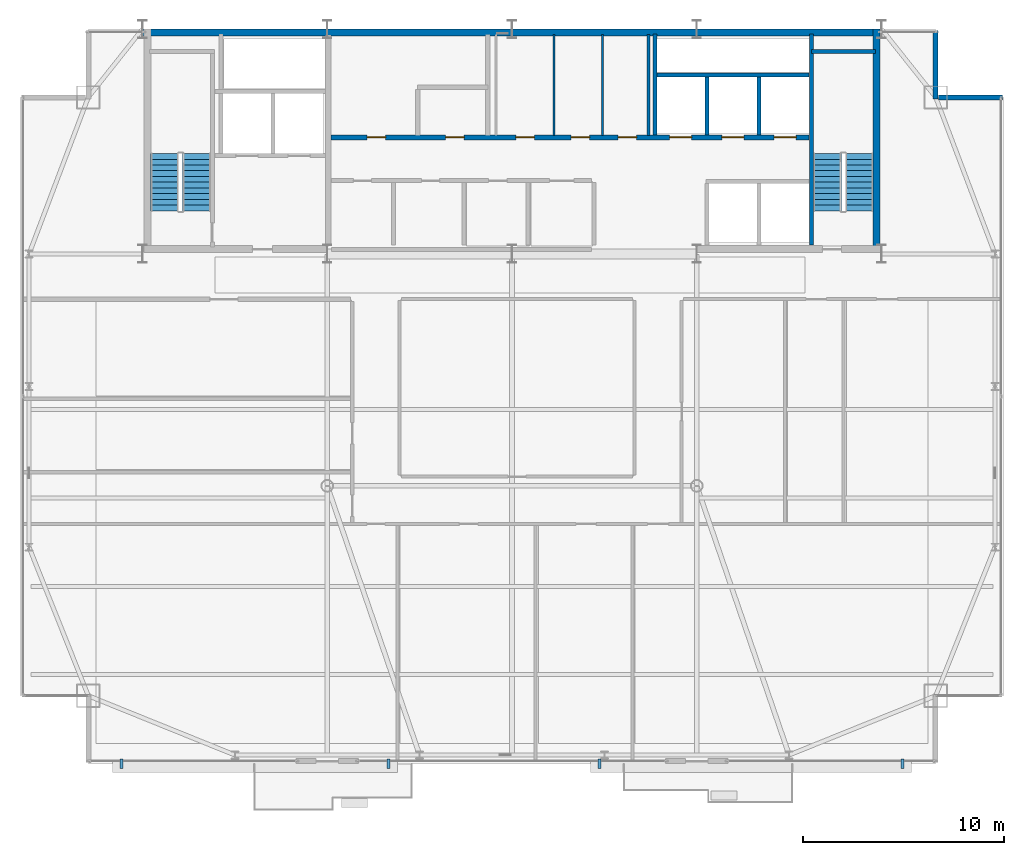
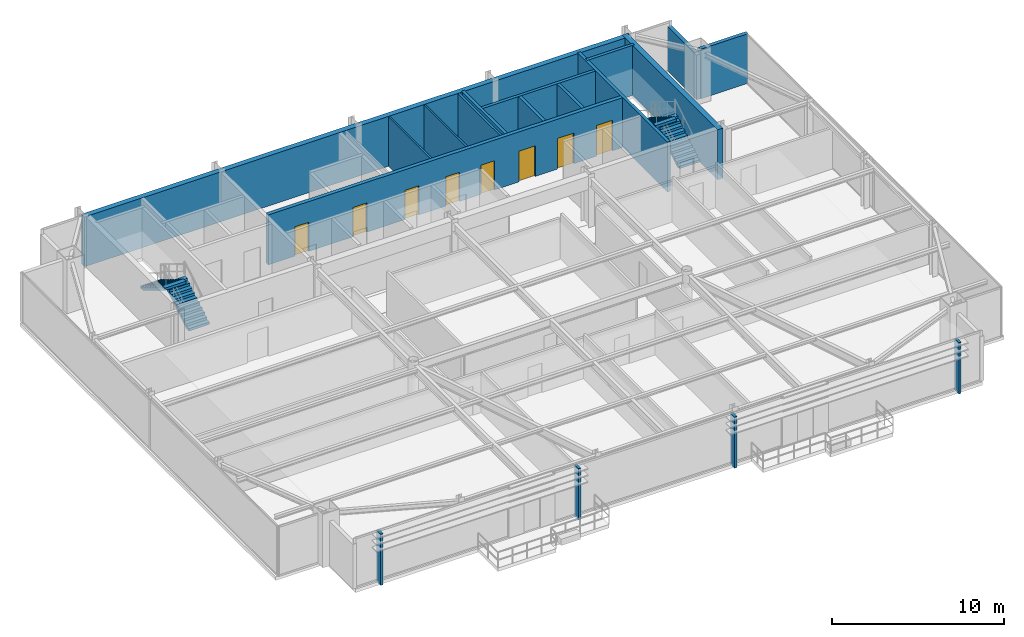
# One storey, part 28 of 30: 14 walls, 8 doors, 4 discrete accessories, 4 stair flights, 8 openings, 2 elements without a shape of their own.
"""IFC4 building model written with IfcOpenShell, lengths in metres."""

from ifc_helpers import new_model, si_unit, direction, frame, frame_2d, origin, origin_2d, place, context, subcontext, project, spatial, polyline, rectangle, outline, extrude, source, transform, mapped, material, layer, layer_set, type_object, type_shapes, element, fill, aggregate, save


model = new_model("IFC4")

# Units and contexts
model_context = context("Model", 3, precision=1e-05, world=origin(), true_north=direction((0.0, 1.0)))
body_context = subcontext(model_context, "Body", "Model", "MODEL_VIEW")
ifc_project = project(units=[si_unit("LENGTHUNIT", "METRE"), si_unit("AREAUNIT", "SQUARE_METRE"), si_unit("VOLUMEUNIT", "CUBIC_METRE"), si_unit("PLANEANGLEUNIT", "RADIAN"), si_unit("MASSUNIT", "GRAM", prefix="KILO")], contexts=[model_context])

# Site, building, storey
site_placement = place(None, origin())
site = spatial("IfcSite", under=ifc_project, at=site_placement, CompositionType="ELEMENT")
building_placement = place(site_placement, origin())
building = spatial("IfcBuilding", under=site, at=building_placement, Name="Varnel Quay Broadcast Tower", CompositionType="ELEMENT")
storey_placement = place(building_placement, frame((0.0, 0.0, 247.0)))
storey = spatial("IfcBuildingStorey", under=building, at=storey_placement, Name="L61", CompositionType="ELEMENT", Elevation=247.0)

# Walls
ifc_material_1 = material(Name="Concrete CSA A23.3 C50/60", Category="concrete")
ifc_layer_1 = layer(ifc_material_1, 0.199951171875, Name="Concrete CSA A23.3 C50/60")
ifc_layer_set_1 = layer_set([ifc_layer_1], Name="Concrete CSA A23.3 C50/60")
wall_type_1 = type_object("IfcWallType", Name="Wall_CoreShaftShear200", PredefinedType="SHEAR", material=ifc_layer_set_1)
wall_1_placement = place(storey_placement, frame((48.919921875, 36.050048828125, 0.0), z_axis=(0.0, 0.0, 1.0), x_axis=(0.0, 1.0, 0.0)))
element("IfcWall", 1, at=wall_1_placement, inside=storey, type_object=wall_type_1, Name="L61 Stair 2 West Structural Wall", PredefinedType="SHEAR", context=body_context, shape_type="SweptSolid", body=[
    extrude(rectangle(XDim=10.5, YDim=0.199951171875, at=frame_2d((5.25, 0.0))), origin(), (0.0, 0.0, 1.0), 3.550048828125),
])
wall_2_placement = place(storey_placement, frame((48.919921875, 45.679931640625, 0.0), z_axis=(0.0, 0.0, 1.0), x_axis=(1.0, 0.0, 0.0)))
element("IfcWall", 2, at=wall_2_placement, inside=storey, type_object=wall_type_1, Name="L61 Stair 2 North Structural Wall", PredefinedType="SHEAR", context=body_context, shape_type="SweptSolid", body=[
    extrude(rectangle(XDim=3.18017578125, YDim=0.199951171875, at=frame_2d((1.590087890625, 0.0))), origin(), (0.0, 0.0, 1.0), 3.550048828125),
])
wall_3_placement = place(storey_placement, frame((41.219970703125, 44.5, 0.0), z_axis=(0.0, 0.0, 1.0), x_axis=(1.0, 0.0, 0.0)))
element("IfcWall", 3, at=wall_3_placement, inside=storey, type_object=wall_type_1, Name="L61 High-Rise Lift Shaft Rear Wall", PredefinedType="SHEAR", context=body_context, shape_type="SweptSolid", body=[
    extrude(rectangle(XDim=7.580078125, YDim=0.199951171875, at=frame_2d((3.7900390625, 0.0))), origin(), (0.0, 0.0, 1.0), 3.550048828125),
])
wall_4_placement = place(storey_placement, frame((41.1201171875, 41.530029296875, 0.0), z_axis=(0.0, 0.0, 1.0), x_axis=(0.0, 1.0, 0.0)))
element("IfcWall", 4, at=wall_4_placement, inside=storey, type_object=wall_type_1, Name="L61 High-Rise Lift Shaft Divider 1", PredefinedType="SHEAR", context=body_context, shape_type="SweptSolid", body=[
    extrude(rectangle(XDim=5.02001953125, YDim=0.199951171875, at=frame_2d((2.510009765625, 0.0))), origin(), (0.0, 0.0, 1.0), 3.550048828125),
])
for number, where, z_axis, x_axis, name in (
    (5, (43.699951171875, 41.530029296875, 0.0), (0.0, 0.0, 1.0), (0.0, 1.0, 0.0), "L61 High-Rise Lift Shaft Divider 2"),
    (6, (46.300048828125, 41.530029296875, 0.0), (0.0, 0.0, 1.0), (0.0, 1.0, 0.0), "L61 High-Rise Lift Shaft Divider 3"),
):
    element("IfcWall", number, at=place(storey_placement, frame(where, z_axis=z_axis, x_axis=x_axis)), inside=storey, type_object=wall_type_1, Name=name, PredefinedType="SHEAR", context=body_context, shape_type="SweptSolid", body=[
        extrude(rectangle(XDim=2.869873046875, YDim=0.199951171875, at=frame_2d((1.43505859375, 0.0))), origin(), (0.0, 0.0, 1.0), 3.550048828125),
    ])

# Wall, openings, doors
ifc_layer_2 = layer(ifc_material_1, 0.25, Name="Concrete CSA A23.3 C50/60")
ifc_layer_set_2 = layer_set([ifc_layer_2], Name="Concrete CSA A23.3 C50/60")
wall_type_2 = type_object("IfcWallType", Name="Wall_CoreShaftShear250", PredefinedType="SHEAR", material=ifc_layer_set_2)
wall_5_placement = place(storey_placement, frame((24.97998046875, 41.39990234375, 0.0), z_axis=(0.0, 0.0, 1.0), x_axis=(1.0, 0.0, 0.0)))
wall_5 = element("IfcWall", 7, at=wall_5_placement, inside=storey, type_object=wall_type_2, Name="L61 North Lift Bank & Reclaimed Suite Wall", PredefinedType="SHEAR", context=body_context, shape_type="SweptSolid", body=[
    extrude(rectangle(XDim=23.820068359375, YDim=0.25, at=frame_2d((11.91015625, 0.0))), origin(), (0.0, 0.0, 1.0), 3.550048828125),
])
opening_1_placement = place(wall_5_placement, frame((16.8701171875, 0.0, 0.0)))
opening_1 = element("IfcOpeningElement", 8, at=opening_1_placement, cuts=wall_5, Name="Opening LD-L61-PH-01", PredefinedType="OPENING", context=body_context, shape_type="SweptSolid", body=[
    extrude(rectangle(XDim=1.10009765625, YDim=2.179931640625, at=frame_2d((0.550048828125, 1.08984375))), frame((0.0, 0.135009765625, 0.0), z_axis=(0.0, -1.0, 0.0), x_axis=(1.0, 0.0, 0.0)), (0.0, 0.0, 1.0), 0.27001953125),
])
opening_2_placement = place(wall_5_placement, frame((19.469970703125, 0.0, 0.0)))
opening_2 = element("IfcOpeningElement", 9, at=opening_2_placement, cuts=wall_5, Name="Opening LD-L61-PH-02", PredefinedType="OPENING", context=body_context, shape_type="SweptSolid", body=[
    extrude(rectangle(XDim=1.10009765625, YDim=2.179931640625, at=frame_2d((0.550048828125, 1.08984375))), frame((0.0, 0.135009765625, 0.0), z_axis=(0.0, -1.0, 0.0), x_axis=(1.0, 0.0, 0.0)), (0.0, 0.0, 1.0), 0.27001953125),
])
opening_3_placement = place(wall_5_placement, frame((22.070068359375, 0.0, 0.0)))
opening_3 = element("IfcOpeningElement", 10, at=opening_3_placement, cuts=wall_5, Name="Opening LD-L61-PH-03", PredefinedType="OPENING", context=body_context, shape_type="SweptSolid", body=[
    extrude(rectangle(XDim=1.10009765625, YDim=2.179931640625, at=frame_2d((0.550048828125, 1.08984375))), frame((0.0, 0.135009765625, 0.0), z_axis=(0.0, -1.0, 0.0), x_axis=(1.0, 0.0, 0.0)), (0.0, 0.0, 1.0), 0.27001953125),
])
opening_4_placement = place(wall_5_placement, frame((1.81005859375, 0.0, 0.0)))
opening_4 = element("IfcOpeningElement", 11, at=opening_4_placement, cuts=wall_5, Name="Opening D-L61-RECA1", PredefinedType="OPENING", context=body_context, shape_type="SweptSolid", body=[
    extrude(rectangle(XDim=0.919921875, YDim=2.080078125, at=frame_2d((0.4599609375, 1.0400390625))), frame((0.0, 0.135009765625, 0.0), z_axis=(0.0, -1.0, 0.0), x_axis=(1.0, 0.0, 0.0)), (0.0, 0.0, 1.0), 0.27001953125),
])
opening_5_placement = place(wall_5_placement, frame((5.7099609375, 0.0, 0.0)))
opening_5 = element("IfcOpeningElement", 12, at=opening_5_placement, cuts=wall_5, Name="Opening D-L61-RECA2", PredefinedType="OPENING", context=body_context, shape_type="SweptSolid", body=[
    extrude(rectangle(XDim=0.919921875, YDim=2.080078125, at=frame_2d((0.4599609375, 1.0400390625))), frame((0.0, 0.135009765625, 0.0), z_axis=(0.0, -1.0, 0.0), x_axis=(1.0, 0.0, 0.0)), (0.0, 0.0, 1.0), 0.27001953125),
])
opening_6_placement = place(wall_5_placement, frame((9.2099609375, 0.0, 0.0)))
opening_6 = element("IfcOpeningElement", 13, at=opening_6_placement, cuts=wall_5, Name="Opening D-L61-RECB1", PredefinedType="OPENING", context=body_context, shape_type="SweptSolid", body=[
    extrude(rectangle(XDim=0.919921875, YDim=2.080078125, at=frame_2d((0.4599609375, 1.0400390625))), frame((0.0, 0.135009765625, 0.0), z_axis=(0.0, -1.0, 0.0), x_axis=(1.0, 0.0, 0.0)), (0.0, 0.0, 1.0), 0.27001953125),
])
opening_7_placement = place(wall_5_placement, frame((11.9599609375, 0.0, 0.0)))
opening_7 = element("IfcOpeningElement", 14, at=opening_7_placement, cuts=wall_5, Name="Opening D-L61-RECB2", PredefinedType="OPENING", context=body_context, shape_type="SweptSolid", body=[
    extrude(rectangle(XDim=0.919921875, YDim=2.080078125, at=frame_2d((0.4599609375, 1.0400390625))), frame((0.0, 0.135009765625, 0.0), z_axis=(0.0, -1.0, 0.0), x_axis=(1.0, 0.0, 0.0)), (0.0, 0.0, 1.0), 0.27001953125),
])
opening_8_placement = place(wall_5_placement, frame((14.31005859375, 0.0, 0.0)))
opening_8 = element("IfcOpeningElement", 15, at=opening_8_placement, cuts=wall_5, Name="Opening D-L61-RECB3", PredefinedType="OPENING", context=body_context, shape_type="SweptSolid", body=[
    extrude(rectangle(XDim=0.919921875, YDim=2.080078125, at=frame_2d((0.4599609375, 1.0400390625))), frame((0.0, 0.135009765625, 0.0), z_axis=(0.0, -1.0, 0.0), x_axis=(1.0, 0.0, 0.0)), (0.0, 0.0, 1.0), 0.27001953125),
])
ifc_material_2 = material(Name="Brushed Bronze-Stainless Lift Car & Sliding Doors", Category="steel")
door_type_1 = type_object("IfcDoorType", Name="Door_LiftLanding1100", OperationType="SLIDING_TO_LEFT", PredefinedType="DOOR", material=ifc_material_2)
shared_shape_1 = source(origin(), body_context, "Body", "SweptSolid", [
    extrude(rectangle(XDim=1.10009765625, YDim=2.179931640625, at=frame_2d((0.550048828125, 1.08984375))), frame((0.0, 0.02490234375, 0.0), z_axis=(0.0, -1.0, 0.0), x_axis=(1.0, 0.0, 0.0)), (0.0, 0.0, 1.0), 0.050048828125),
])
type_shapes(door_type_1, [shared_shape_1])
door_1_placement = place(opening_1_placement, frame((1.10009765625, 0.0, 0.0), z_axis=(0.0, 0.0, 1.0), x_axis=(-1.0, 0.0, 0.0)))
door_1 = element("IfcDoor", 16, at=door_1_placement, inside=storey, type_object=door_type_1, Name="L61 Lift PH-01 Landing Door", OperationType="SLIDING_TO_LEFT", OverallHeight=2.179931640625, OverallWidth=1.10009765625, PredefinedType="DOOR", context=body_context, shape_type="MappedRepresentation", body=[
    mapped(shared_shape_1, transform((0.0, 0.0, 0.0), x_axis=(1.0, 0.0, 0.0), y_axis=(0.0, 1.0, 0.0), z_axis=(0.0, 0.0, 1.0), scale=1.0)),
])
fill(opening_1, door_1)
door_2_placement = place(opening_2_placement, frame((1.10009765625, 0.0, 0.0), z_axis=(0.0, 0.0, 1.0), x_axis=(-1.0, 0.0, 0.0)))
door_2 = element("IfcDoor", 17, at=door_2_placement, inside=storey, type_object=door_type_1, Name="L61 Lift PH-02 Landing Door", OperationType="SLIDING_TO_LEFT", OverallHeight=2.179931640625, OverallWidth=1.10009765625, PredefinedType="DOOR", context=body_context, shape_type="MappedRepresentation", body=[
    mapped(shared_shape_1, transform((0.0, 0.0, 0.0), x_axis=(1.0, 0.0, 0.0), y_axis=(0.0, 1.0, 0.0), z_axis=(0.0, 0.0, 1.0), scale=1.0)),
])
fill(opening_2, door_2)
door_3_placement = place(opening_3_placement, frame((1.10009765625, 0.0, 0.0), z_axis=(0.0, 0.0, 1.0), x_axis=(-1.0, 0.0, 0.0)))
door_3 = element("IfcDoor", 18, at=door_3_placement, inside=storey, type_object=door_type_1, Name="L61 Lift PH-03 Landing Door", OperationType="SLIDING_TO_LEFT", OverallHeight=2.179931640625, OverallWidth=1.10009765625, PredefinedType="DOOR", context=body_context, shape_type="MappedRepresentation", body=[
    mapped(shared_shape_1, transform((0.0, 0.0, 0.0), x_axis=(1.0, 0.0, 0.0), y_axis=(0.0, 1.0, 0.0), z_axis=(0.0, 0.0, 1.0), scale=1.0)),
])
fill(opening_3, door_3)
ifc_material_3 = material(Name="Solid-Core Fire-Rated Acoustic Oak Veneer Door", Category="wood")
door_type_2 = type_object("IfcDoorType", Name="Door_Office920", OperationType="NOTDEFINED", PredefinedType="DOOR", material=ifc_material_3)
shared_shape_2 = source(origin(), body_context, "Body", "SweptSolid", [
    extrude(rectangle(XDim=0.919921875, YDim=2.080078125, at=frame_2d((0.4599609375, 1.0400390625))), frame((0.0, 0.02490234375, 0.0), z_axis=(0.0, -1.0, 0.0), x_axis=(1.0, 0.0, 0.0)), (0.0, 0.0, 1.0), 0.050048828125),
])
type_shapes(door_type_2, [shared_shape_2])
door_4_placement = place(opening_4_placement, origin())
door_4 = element("IfcDoor", 19, at=door_4_placement, inside=storey, type_object=door_type_2, Name="L61 Signal Routing Suite Door", OperationType="SINGLE_SWING_LEFT", OverallHeight=2.080078125, OverallWidth=0.919921875, PredefinedType="DOOR", context=body_context, shape_type="MappedRepresentation", body=[
    mapped(shared_shape_2, transform((0.0, 0.0, 0.0), x_axis=(1.0, 0.0, 0.0), y_axis=(0.0, 1.0, 0.0), z_axis=(0.0, 0.0, 1.0), scale=1.0)),
])
fill(opening_4, door_4)
door_5_placement = place(opening_5_placement, origin())
door_5 = element("IfcDoor", 20, at=door_5_placement, inside=storey, type_object=door_type_2, Name="L61 Archive Media Store Door", OperationType="SINGLE_SWING_RIGHT", OverallHeight=2.080078125, OverallWidth=0.919921875, PredefinedType="DOOR", context=body_context, shape_type="MappedRepresentation", body=[
    mapped(shared_shape_2, transform((0.0, 0.0, 0.0), x_axis=(1.0, 0.0, 0.0), y_axis=(0.0, 1.0, 0.0), z_axis=(0.0, 0.0, 1.0), scale=1.0)),
])
fill(opening_5, door_5)
door_6_placement = place(opening_6_placement, origin())
door_6 = element("IfcDoor", 21, at=door_6_placement, inside=storey, type_object=door_type_2, Name="L61 Audio Patch Closet Door", OperationType="SINGLE_SWING_LEFT", OverallHeight=2.080078125, OverallWidth=0.919921875, PredefinedType="DOOR", context=body_context, shape_type="MappedRepresentation", body=[
    mapped(shared_shape_2, transform((0.0, 0.0, 0.0), x_axis=(1.0, 0.0, 0.0), y_axis=(0.0, 1.0, 0.0), z_axis=(0.0, 0.0, 1.0), scale=1.0)),
])
fill(opening_6, door_6)
door_7_placement = place(opening_7_placement, origin())
door_7 = element("IfcDoor", 22, at=door_7_placement, inside=storey, type_object=door_type_2, Name="L61 Bureau Reference Archive Door", OperationType="SINGLE_SWING_RIGHT", OverallHeight=2.080078125, OverallWidth=0.919921875, PredefinedType="DOOR", context=body_context, shape_type="MappedRepresentation", body=[
    mapped(shared_shape_2, transform((0.0, 0.0, 0.0), x_axis=(1.0, 0.0, 0.0), y_axis=(0.0, 1.0, 0.0), z_axis=(0.0, 0.0, 1.0), scale=1.0)),
])
fill(opening_7, door_7)
door_8_placement = place(opening_8_placement, origin())
door_8 = element("IfcDoor", 23, at=door_8_placement, inside=storey, type_object=door_type_2, Name="L61 Crew Espresso Niche Door", OperationType="SINGLE_SWING_LEFT", OverallHeight=2.080078125, OverallWidth=0.919921875, PredefinedType="DOOR", context=body_context, shape_type="MappedRepresentation", body=[
    mapped(shared_shape_2, transform((0.0, 0.0, 0.0), x_axis=(1.0, 0.0, 0.0), y_axis=(0.0, 1.0, 0.0), z_axis=(0.0, 0.0, 1.0), scale=1.0)),
])
fill(opening_8, door_8)

# Walls
ifc_layer_3 = layer(ifc_material_1, 0.35009765625, Name="Concrete CSA A23.3 C50/60")
ifc_layer_set_3 = layer_set([ifc_layer_3], Name="Concrete CSA A23.3 C50/60")
wall_type_3 = type_object("IfcWallType", Name="Wall_CoreShearExt350", PredefinedType="SHEAR", material=ifc_layer_set_3)
wall_6_placement = place(storey_placement, frame((15.60009765625, 46.625, 0.0), z_axis=(0.0, 0.0, 1.0), x_axis=(1.0, 0.0, 0.0)))
element("IfcWall", 24, at=wall_6_placement, inside=storey, type_object=wall_type_3, Name="L61 North Core Shear Wall", PredefinedType="SHEAR", context=body_context, shape_type="SweptSolid", body=[
    extrude(rectangle(XDim=36.7998046875, YDim=0.35009765625, at=frame_2d((18.39990234375, 0.0))), origin(), (0.0, 0.0, 1.0), 3.550048828125),
])
ifc_layer_4 = layer(ifc_material_1, 0.35009765625, Name="Concrete CSA A23.3 C50/60")
ifc_layer_set_4 = layer_set([ifc_layer_4], Name="Concrete CSA A23.3 C50/60")
wall_type_4 = type_object("IfcWallType", Name="Wall_CoreShearInt350", PredefinedType="SHEAR", material=ifc_layer_set_4)
wall_7_placement = place(storey_placement, frame((52.155029296875, 35.669921875, 0.0), z_axis=(0.0, 0.0, 1.0), x_axis=(0.0, 1.0, 0.0)))
element("IfcWall", 25, at=wall_7_placement, inside=storey, type_object=wall_type_4, Name="L61 East Core Shear Wall", PredefinedType="SHEAR", context=body_context, shape_type="SweptSolid", body=[
    extrude(rectangle(XDim=11.130126953125, YDim=0.35009765625, at=frame_2d((5.56494140625, 0.0))), origin(), (0.0, 0.0, 1.0), 3.550048828125),
])
ifc_material_4 = material(Name="Precast Architectural Concrete C40/50", Category="concrete")
ifc_layer_5 = layer(ifc_material_4, 0.25, Name="Precast Architectural Concrete C40/50")
ifc_layer_set_5 = layer_set([ifc_layer_5], Name="Precast Architectural Concrete C40/50")
wall_type_5 = type_object("IfcWallType", Name="Wall_ExtTerrace250", PredefinedType="SOLIDWALL", material=ifc_layer_set_5)
wall_8_placement = place(storey_placement, frame((55.22998046875, 43.39990234375, 0.0), z_axis=(0.0, 0.0, 1.0), x_axis=(1.0, 0.0, 0.0)))
element("IfcWall", 26, at=wall_8_placement, inside=storey, type_object=wall_type_5, Name="L61 Mega-Column Notch Cladding Wall NNE1", PredefinedType="SOLIDWALL", context=body_context, shape_type="SweptSolid", body=[
    extrude(rectangle(XDim=3.18994140625, YDim=0.25, at=frame_2d((1.594970703125, 0.0))), origin(), (0.0, 0.0, 1.0), 3.530029296875),
])
wall_9_placement = place(storey_placement, frame((55.10009765625, 43.320068359375, 0.0), z_axis=(0.0, 0.0, 1.0), x_axis=(0.0, 1.0, 0.0)))
element("IfcWall", 27, at=wall_9_placement, inside=storey, type_object=wall_type_5, Name="L61 Mega-Column Notch Cladding Wall NNE2", PredefinedType="SOLIDWALL", context=body_context, shape_type="SweptSolid", body=[
    extrude(rectangle(XDim=3.39990234375, YDim=0.25, at=frame_2d((1.699951171875, 0.0))), origin(), (0.0, 0.0, 1.0), 3.1708984375),
])
ifc_material_5 = material(Name="Steel-Stud Fire-Rated Acoustic Gypsum Partition Assembly", Category="steel")
ifc_layer_6 = layer(ifc_material_5, 0.10498046875, Name="Steel-Stud Fire-Rated Acoustic Gypsum Partition Assembly")
ifc_layer_set_6 = layer_set([ifc_layer_6], Name="Steel-Stud Fire-Rated Acoustic Gypsum Partition Assembly")
wall_type_6 = type_object("IfcWallType", Name="Wall_Partition105", PredefinedType="PARTITIONING", material=ifc_layer_set_6)
for number, where, z_axis, x_axis, name in (
    (28, (36.10009765625, 41.5, 0.0), (0.0, 0.0, 1.0), (0.0, 1.0, 0.0), "L61 Audio Patch Closet Partition 26"),
    (29, (38.5, 41.5, 0.0), (0.0, 0.0, 1.0), (0.0, 1.0, 0.0), "L61 Bureau Reference Archive Partition 28"),
):
    element("IfcWall", number, at=place(storey_placement, frame(where, z_axis=z_axis, x_axis=x_axis)), inside=storey, type_object=wall_type_6, Name=name, PredefinedType="PARTITIONING", context=body_context, shape_type="SweptSolid", body=[
        extrude(rectangle(XDim=5.02001953125, YDim=0.10498046875, at=frame_2d((2.510009765625, 0.0))), origin(), (0.0, 0.0, 1.0), 3.530029296875),
    ])
ifc_layer_7 = layer(ifc_material_5, 0.14990234375, Name="Steel-Stud Fire-Rated Acoustic Gypsum Partition Assembly")
ifc_layer_set_7 = layer_set([ifc_layer_7], Name="Steel-Stud Fire-Rated Acoustic Gypsum Partition Assembly")
wall_type_7 = type_object("IfcWallType", Name="Wall_Partition150", PredefinedType="PARTITIONING", material=ifc_layer_set_7)
wall_10_placement = place(storey_placement, frame((40.800048828125, 41.5, 0.0), z_axis=(0.0, 0.0, 1.0), x_axis=(0.0, 1.0, 0.0)))
element("IfcWall", 30, at=wall_10_placement, inside=storey, type_object=wall_type_7, Name="L61 Crew Espresso Niche Partition 29", PredefinedType="PARTITIONING", context=body_context, shape_type="SweptSolid", body=[
    extrude(rectangle(XDim=5.02001953125, YDim=0.14990234375, at=frame_2d((2.510009765625, 0.0))), origin(), (0.0, 0.0, 1.0), 3.530029296875),
])

# Stair, stair flights
ifc_material_6 = material(Name="Precast Structural Concrete C40/50", Category="concrete")
stair_type_1 = type_object("IfcStairType", Name="Stair_ST-01", PredefinedType="HALF_TURN_STAIR", material=ifc_material_6)
stair_1_placement = place(storey_placement, origin())
stair_1 = element("IfcStair", 31, at=stair_1_placement, inside=storey, type_object=stair_type_1, Name="L61 West Core Exit Stair 1", PredefinedType="HALF_TURN_STAIR")
stair_flight_type_1 = type_object("IfcStairFlightType", Name="Flight_ST-01", PredefinedType="STRAIGHT", material=ifc_material_6)
stair_flight_1_placement = place(storey_placement, frame((18.300048828125, 37.75, 0.0), z_axis=(0.0, 0.0, 1.0), x_axis=(0.0, 1.0, 0.0)))
stair_flight_1 = element("IfcStairFlight", 32, at=stair_flight_1_placement, type_object=stair_flight_type_1, Name="ST-01 flight 1", NumberOfRisers=11, NumberOfTreads=10, PredefinedType="STRAIGHT", RiserHeight=0.172727273, TreadLength=0.285, context=body_context, shape_type="SweptSolid", body=[
    extrude(outline(polyline([(0.0, 0.0), (0.0, 0.172607421875), (0.284912109375, 0.172607421875), (0.284912109375, 0.345458984375), (0.570068359375, 0.345458984375), (0.570068359375, 0.51806640625), (0.85498046875, 0.51806640625), (0.85498046875, 0.69091796875), (1.139892578125, 0.69091796875), (1.139892578125, 0.863525390625), (1.425048828125, 0.863525390625), (1.425048828125, 1.036376953125), (1.7099609375, 1.036376953125), (1.7099609375, 1.208984375), (1.9951171875, 1.208984375), (1.9951171875, 1.3818359375), (2.280029296875, 1.3818359375), (2.280029296875, 1.554443359375), (2.56494140625, 1.554443359375), (2.56494140625, 1.727294921875), (2.85009765625, 1.727294921875), (2.85009765625, 1.89990234375), (2.85009765625, 1.552001953125), (0.289306640625, 0.0), (0.0, 0.0)])), frame((0.0, 0.699951171875, 0.0), z_axis=(0.0, -1.0, 0.0), x_axis=(1.0, 0.0, 0.0)), (0.0, 0.0, 1.0), 1.39990234375),
])
stair_flight_2_placement = place(storey_placement, frame((16.699951171875, 40.60009765625, 1.89990234375), z_axis=(0.0, 0.0, 1.0), x_axis=(0.0, -1.0, 0.0)))
stair_flight_2 = element("IfcStairFlight", 33, at=stair_flight_2_placement, type_object=stair_flight_type_1, Name="ST-01 flight 2", NumberOfRisers=11, NumberOfTreads=10, PredefinedType="STRAIGHT", RiserHeight=0.172727273, TreadLength=0.285, context=body_context, shape_type="SweptSolid", body=[
    extrude(outline(polyline([(0.0, 0.0), (0.0, 0.172607421875), (0.284912109375, 0.172607421875), (0.284912109375, 0.345458984375), (0.570068359375, 0.345458984375), (0.570068359375, 0.51806640625), (0.85498046875, 0.51806640625), (0.85498046875, 0.69091796875), (1.139892578125, 0.69091796875), (1.139892578125, 0.863525390625), (1.425048828125, 0.863525390625), (1.425048828125, 1.036376953125), (1.7099609375, 1.036376953125), (1.7099609375, 1.208984375), (1.9951171875, 1.208984375), (1.9951171875, 1.3818359375), (2.280029296875, 1.3818359375), (2.280029296875, 1.554443359375), (2.56494140625, 1.554443359375), (2.56494140625, 1.727294921875), (2.85009765625, 1.727294921875), (2.85009765625, 1.89990234375), (2.85009765625, 1.552001953125), (0.289306640625, 0.0), (0.0, 0.0)])), frame((0.0, 0.699951171875, 0.0), z_axis=(0.0, -1.0, 0.0), x_axis=(1.0, 0.0, 0.0)), (0.0, 0.0, 1.0), 1.39990234375),
])
aggregate(stair_1, [stair_flight_1, stair_flight_2])

stair_type_2 = type_object("IfcStairType", Name="Stair_ST-02", PredefinedType="HALF_TURN_STAIR", material=ifc_material_6)
stair_2_placement = place(storey_placement, origin())
stair_2 = element("IfcStair", 34, at=stair_2_placement, inside=storey, type_object=stair_type_2, Name="L61 East Core Exit Stair 2", PredefinedType="HALF_TURN_STAIR")
stair_flight_type_2 = type_object("IfcStairFlightType", Name="Flight_ST-02", PredefinedType="STRAIGHT", material=ifc_material_6)
stair_flight_3_placement = place(storey_placement, frame((51.300048828125, 37.75, 0.0), z_axis=(0.0, 0.0, 1.0), x_axis=(0.0, 1.0, 0.0)))
stair_flight_3 = element("IfcStairFlight", 35, at=stair_flight_3_placement, type_object=stair_flight_type_2, Name="ST-02 flight 1", NumberOfRisers=11, NumberOfTreads=10, PredefinedType="STRAIGHT", RiserHeight=0.172727273, TreadLength=0.285, context=body_context, shape_type="SweptSolid", body=[
    extrude(outline(polyline([(0.0, 0.0), (0.0, 0.172607421875), (0.284912109375, 0.172607421875), (0.284912109375, 0.345458984375), (0.570068359375, 0.345458984375), (0.570068359375, 0.51806640625), (0.85498046875, 0.51806640625), (0.85498046875, 0.69091796875), (1.139892578125, 0.69091796875), (1.139892578125, 0.863525390625), (1.425048828125, 0.863525390625), (1.425048828125, 1.036376953125), (1.7099609375, 1.036376953125), (1.7099609375, 1.208984375), (1.9951171875, 1.208984375), (1.9951171875, 1.3818359375), (2.280029296875, 1.3818359375), (2.280029296875, 1.554443359375), (2.56494140625, 1.554443359375), (2.56494140625, 1.727294921875), (2.85009765625, 1.727294921875), (2.85009765625, 1.89990234375), (2.85009765625, 1.552001953125), (0.289306640625, 0.0), (0.0, 0.0)])), frame((0.0, 0.699951171875, 0.0), z_axis=(0.0, -1.0, 0.0), x_axis=(1.0, 0.0, 0.0)), (0.0, 0.0, 1.0), 1.39990234375),
])
stair_flight_4_placement = place(storey_placement, frame((49.699951171875, 40.60009765625, 1.89990234375), z_axis=(0.0, 0.0, 1.0), x_axis=(0.0, -1.0, 0.0)))
stair_flight_4 = element("IfcStairFlight", 36, at=stair_flight_4_placement, type_object=stair_flight_type_2, Name="ST-02 flight 2", NumberOfRisers=11, NumberOfTreads=10, PredefinedType="STRAIGHT", RiserHeight=0.172727273, TreadLength=0.285, context=body_context, shape_type="SweptSolid", body=[
    extrude(outline(polyline([(0.0, 0.0), (0.0, 0.172607421875), (0.284912109375, 0.172607421875), (0.284912109375, 0.345458984375), (0.570068359375, 0.345458984375), (0.570068359375, 0.51806640625), (0.85498046875, 0.51806640625), (0.85498046875, 0.69091796875), (1.139892578125, 0.69091796875), (1.139892578125, 0.863525390625), (1.425048828125, 0.863525390625), (1.425048828125, 1.036376953125), (1.7099609375, 1.036376953125), (1.7099609375, 1.208984375), (1.9951171875, 1.208984375), (1.9951171875, 1.3818359375), (2.280029296875, 1.3818359375), (2.280029296875, 1.554443359375), (2.56494140625, 1.554443359375), (2.56494140625, 1.727294921875), (2.85009765625, 1.727294921875), (2.85009765625, 1.89990234375), (2.85009765625, 1.552001953125), (0.289306640625, 0.0), (0.0, 0.0)])), frame((0.0, 0.699951171875, 0.0), z_axis=(0.0, -1.0, 0.0), x_axis=(1.0, 0.0, 0.0)), (0.0, 0.0, 1.0), 1.39990234375),
])
aggregate(stair_2, [stair_flight_3, stair_flight_4])

# Discrete accessories
ifc_material_7 = material(Name="Anodised Bronze Aluminium 6063-T6", Category="aluminium")
ifc_layer_8 = layer(ifc_material_7, 0.47998046875, Name="Anodised Bronze Aluminium 6063-T6")
ifc_layer_set_8 = layer_set([ifc_layer_8], Name="Anodised Bronze Aluminium 6063-T6")
discrete_accessory_type = type_object("IfcDiscreteAccessoryType", Name="Acc_FacadeBracket", PredefinedType="BRACKET", material=ifc_layer_set_8)
shared_shape_3 = source(origin(), body_context, "Body", "SweptSolid", [
    extrude(rectangle(XDim=0.159912109375, YDim=0.47998046875, at=origin_2d()), origin(), (0.0, 0.0, 1.0), 3.64990234375),
])
type_shapes(discrete_accessory_type, [shared_shape_3])
for number, where, z_axis, x_axis, name in (
    (37, (14.550048828125, 10.219970703125, -0.14990234375), (0.0, 0.0, 1.0), (1.0, 0.0, 0.0), "L61 Lobe 1 Louvre Support Bracket 1"),
    (38, (27.85498046875, 10.219970703125, -0.14990234375), (0.0, 0.0, 1.0), (1.0, 0.0, 0.0), "L61 Lobe 1 Louvre Support Bracket 2"),
    (39, (38.35498046875, 10.219970703125, -0.14990234375), (0.0, 0.0, 1.0), (1.0, 0.0, 0.0), "L61 Lobe 2 Louvre Support Bracket 1"),
    (40, (53.449951171875, 10.219970703125, -0.14990234375), (0.0, 0.0, 1.0), (1.0, 0.0, 0.0), "L61 Lobe 2 Louvre Support Bracket 2"),
):
    element("IfcDiscreteAccessory", number, at=place(storey_placement, frame(where, z_axis=z_axis, x_axis=x_axis)), inside=storey, type_object=discrete_accessory_type, Name=name, PredefinedType="BRACKET", context=body_context, shape_type="MappedRepresentation", body=[
        mapped(shared_shape_3, transform((0.0, 0.0, 0.0), x_axis=(1.0, 0.0, 0.0), y_axis=(0.0, 1.0, 0.0), z_axis=(0.0, 0.0, 1.0), scale=1.0)),
    ])

save(model, "model.ifc")
